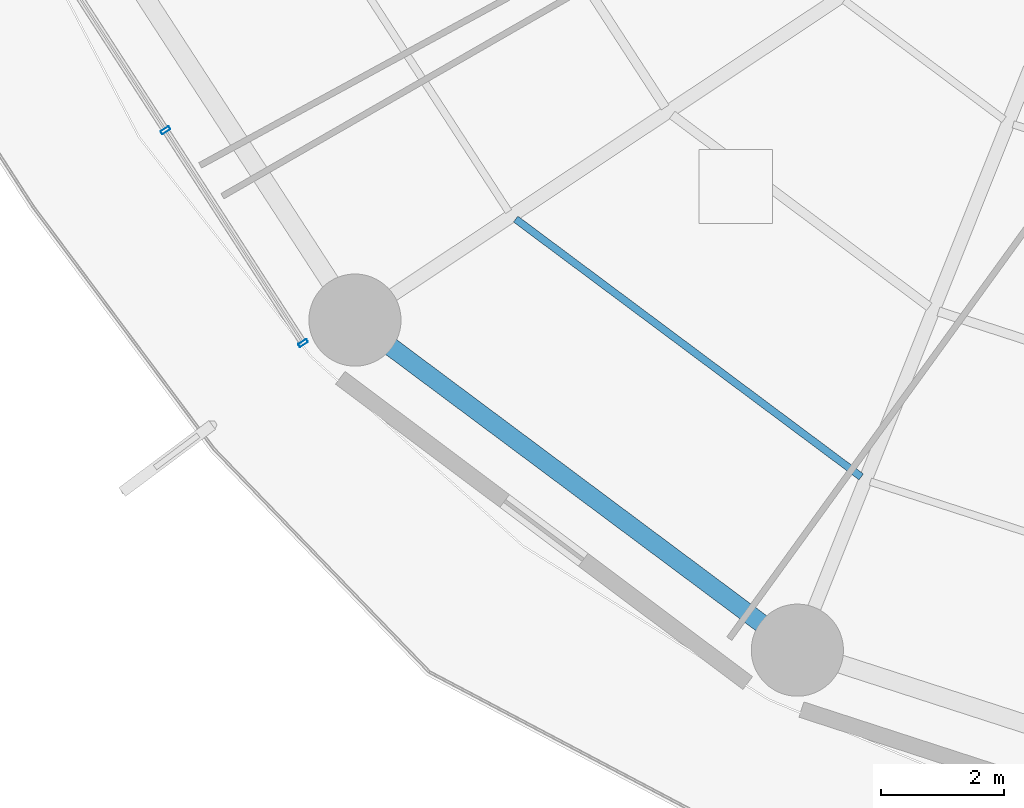
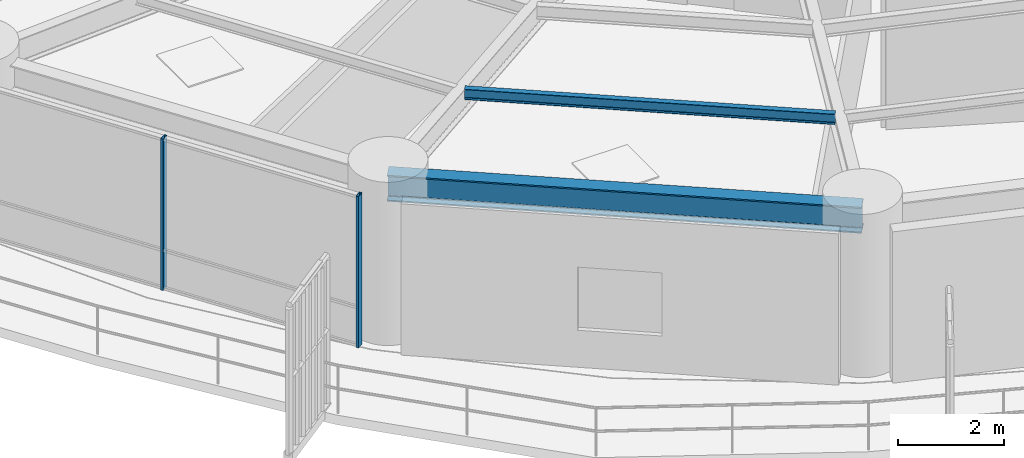
# One storey, part 2 of 32: 2 beams, 2 members, 1 element without a shape of its own.
"""IFC4 building model written with IfcOpenShell, lengths in metres."""

from ifc_helpers import new_model, si_unit, direction, frame, origin, origin_2d, place, context, subcontext, project, spatial, hollow_rectangle, i_section, extrude, material, layer, layer_set, material_profile, profile_set, type_object, element, aggregate, save


model = new_model("IFC4")

# Units and contexts
model_context = context("Model", 3, precision=1e-05, world=origin(), true_north=direction((0.0, 1.0)))
body_context = subcontext(model_context, "Body", "Model", "MODEL_VIEW")
ifc_project = project(units=[si_unit("LENGTHUNIT", "METRE"), si_unit("AREAUNIT", "SQUARE_METRE"), si_unit("VOLUMEUNIT", "CUBIC_METRE"), si_unit("PLANEANGLEUNIT", "RADIAN"), si_unit("MASSUNIT", "GRAM", prefix="KILO")], contexts=[model_context])

# Site, building, storey
site_placement = place(None, origin())
site = spatial("IfcSite", under=ifc_project, at=site_placement, CompositionType="ELEMENT")
building_placement = place(site_placement, origin())
building = spatial("IfcBuilding", under=site, at=building_placement, Name="Kelanora Arch Commons", CompositionType="ELEMENT")
storey_placement = place(building_placement, frame((0.0, 0.0, 48.75)))
storey = spatial("IfcBuildingStorey", under=building, at=storey_placement, Name="L12", CompositionType="ELEMENT", Elevation=48.75)

# Beams
ifc_material_1 = material(Name="Steel S355", Category="steel")
ifc_material_profile_1 = material_profile(ifc_material_1, i_section(OverallWidth=0.1201171875, OverallDepth=0.239990234375, WebThickness=0.006103515625, FlangeThickness=0.009765625, FilletRadius=0.014892578125, at=origin_2d()), Name="IPE240")
ifc_profile_set_1 = profile_set([ifc_material_profile_1], Name="Steel S355")
beam_type_1 = type_object("IfcBeamType", Name="BM-JST-02", PredefinedType="JOIST", material=ifc_profile_set_1)
beam_1_placement = place(storey_placement, frame((55.87255859375, 44.16650390625, 3.3701171875), z_axis=(0.80149131963, -0.598006408459, 0.0), x_axis=(0.598006408459, 0.80149131963, 0.0)))
element("IfcBeam", 1, at=beam_1_placement, inside=storey, type_object=beam_type_1, Name="Secondary Chord Joist BJC-22 L12", PredefinedType="JOIST", context=body_context, shape_type="SweptSolid", body=[
    extrude(i_section(OverallWidth=0.1201171875, OverallDepth=0.239990234375, WebThickness=0.006103515625, FlangeThickness=0.009765625, FilletRadius=0.014892578125, at=origin_2d()), origin(), (0.0, 0.0, 1.0), 7.021240234375),
])
ifc_material_profile_2 = material_profile(ifc_material_1, i_section(OverallWidth=0.300048828125, OverallDepth=0.60009765625, WebThickness=0.015380859375, FlangeThickness=0.030029296875, FilletRadius=0.027099609375, at=origin_2d()), Name="HEB600")
ifc_profile_set_2 = profile_set([ifc_material_profile_2], Name="Steel S355")
beam_type_2 = type_object("IfcBeamType", Name="BM-SPN-Z1", PredefinedType="SPANDREL", material=ifc_profile_set_2)
beam_2_placement = place(storey_placement, frame((53.255615234375, 42.521728515625, 3.18994140625), z_axis=(0.801467504127, -0.598038326388, 0.0), x_axis=(0.598038326388, 0.801467504127, 0.0)))
element("IfcBeam", 2, at=beam_2_placement, inside=storey, type_object=beam_type_2, Name="Perimeter Spandrel Beam BS-22 L12", PredefinedType="SPANDREL", context=body_context, shape_type="SweptSolid", body=[
    extrude(i_section(OverallWidth=0.300048828125, OverallDepth=0.60009765625, WebThickness=0.015380859375, FlangeThickness=0.030029296875, FilletRadius=0.027099609375, at=origin_2d()), origin(), (0.0, 0.0, 1.0), 8.989013671875),
])

# Curtain wall, members
ifc_material_2 = material(Name="Terracotta ceramic-fritted low-E glass and aluminium", Category="masonry")
ifc_layer = layer(ifc_material_2, 0.159912109375)
ifc_layer_set = layer_set([ifc_layer], Name="Terracotta ceramic-fritted low-E glass and aluminium")
curtain_wall_type = type_object("IfcCurtainWallType", Name="CW-SYS-01", PredefinedType="NOTDEFINED", material=ifc_layer_set)
curtain_wall_placement = place(storey_placement, origin())
curtain_wall = element("IfcCurtainWall", 3, at=curtain_wall_placement, inside=storey, type_object=curtain_wall_type, Name="Unitised Curtain Wall L12-B10", PredefinedType="NOTDEFINED")
ifc_material_3 = material(Name="Powder-coated aluminium terracotta", Category="masonry")
ifc_material_profile_3 = material_profile(ifc_material_3, hollow_rectangle(XDim=0.159912109375, YDim=0.06005859375, WallThickness=0.0048828125, InnerFilletRadius=0.0048828125, OuterFilletRadius=0.010009765625, at=origin_2d()), Name="CWM160x60")
ifc_profile_set_3 = profile_set([ifc_material_profile_3], Name="Powder-coated aluminium terracotta")
member_type = type_object("IfcMemberType", Name="CWM-STD", PredefinedType="MULLION", material=ifc_profile_set_3)
member_1_placement = place(storey_placement, frame((50.169189453125, 45.61328125, 0.0), z_axis=(0.0, 0.0, 1.0), x_axis=(0.83972982332, 0.543004441812, 0.0)))
member_1 = element("IfcMember", 4, at=member_1_placement, type_object=member_type, Name="CW-01 mullion 2", PredefinedType="MULLION", context=body_context, shape_type="SweptSolid", body=[
    extrude(hollow_rectangle(XDim=0.159912109375, YDim=0.06005859375, WallThickness=0.0048828125, InnerFilletRadius=0.0048828125, OuterFilletRadius=0.010009765625, at=origin_2d()), origin(), (0.0, 0.0, 1.0), 3.47509765625),
])
member_2_placement = place(storey_placement, frame((52.41064453125, 42.14697265625, 0.0), z_axis=(0.0, 0.0, 1.0), x_axis=(0.83972982332, 0.543004441812, 0.0)))
member_2 = element("IfcMember", 5, at=member_2_placement, type_object=member_type, Name="CW-01 mullion 3", PredefinedType="MULLION", context=body_context, shape_type="SweptSolid", body=[
    extrude(hollow_rectangle(XDim=0.159912109375, YDim=0.06005859375, WallThickness=0.0048828125, InnerFilletRadius=0.0048828125, OuterFilletRadius=0.010009765625, at=origin_2d()), origin(), (0.0, 0.0, 1.0), 3.47509765625),
])
aggregate(curtain_wall, [member_1, member_2])

save(model, "model.ifc")
